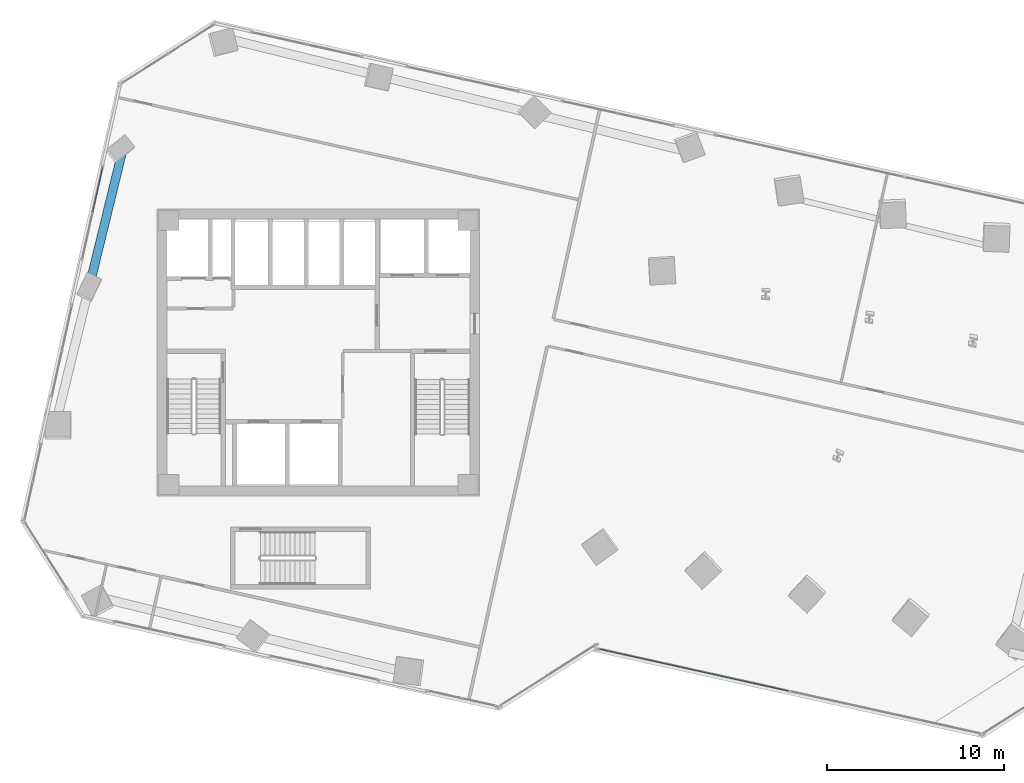
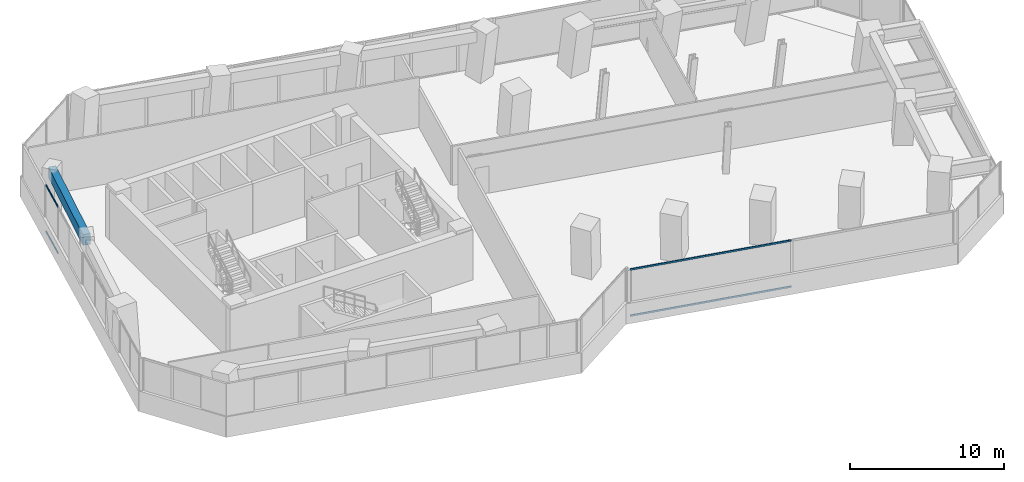
# One storey, part 7 of 25: 4 members, 1 beam, 2 elements without a shape of their own.
"""IFC4 building model written with IfcOpenShell, lengths in metres."""

from ifc_helpers import new_model, si_unit, direction, frame, origin, origin_2d, place, context, subcontext, project, spatial, rectangle, hollow_rectangle, extrude, source, transform, mapped, material, material_profile, profile_set, type_object, element, aggregate, save


model = new_model("IFC4")

# Units and contexts
model_context = context("Model", 3, precision=1e-05, world=origin(), true_north=direction((0.0, 1.0)))
body_context = subcontext(model_context, "Body", "Model", "MODEL_VIEW")
ifc_project = project(units=[si_unit("LENGTHUNIT", "METRE"), si_unit("AREAUNIT", "SQUARE_METRE"), si_unit("VOLUMEUNIT", "CUBIC_METRE"), si_unit("PLANEANGLEUNIT", "RADIAN"), si_unit("MASSUNIT", "GRAM", prefix="KILO")], contexts=[model_context])

# Site, building, storey
site_placement = place(None, origin())
site = spatial("IfcSite", under=ifc_project, at=site_placement, CompositionType="ELEMENT")
building_placement = place(site_placement, origin())
building = spatial("IfcBuilding", under=site, at=building_placement, Name="Torre Montelarca", CompositionType="ELEMENT")
storey_placement = place(building_placement, frame((0.0, 0.0, 91.60009765625)))
storey = spatial("IfcBuildingStorey", under=building, at=storey_placement, Name="L20", CompositionType="ELEMENT", Elevation=91.60009765625)

# Beam
ifc_material_1 = material(Name="Concrete C55/67", Category="concrete")
ifc_material_profile_1 = material_profile(ifc_material_1, rectangle(XDim=0.5, YDim=0.85009765625, at=origin_2d()), Name="RCB500X850", Category="concrete")
ifc_profile_set_1 = profile_set([ifc_material_profile_1], Name="Concrete C55/67")
beam_type = type_object("IfcBeamType", Name="BM-SP-RC850-EXT", PredefinedType="SPANDREL", material=ifc_profile_set_1)
shared_shape_1 = source(origin(), body_context, "Body", "SweptSolid", [
    extrude(rectangle(XDim=0.5, YDim=0.85009765625, at=origin_2d()), origin(), (0.0, 0.0, 1.0), 8.0),
])
beam_placement = place(storey_placement, frame((5.1328125, 36.0048828125, 3.534912109375), z_axis=(0.237700094629, 0.971338594422, 0.0), x_axis=(-0.971338594422, 0.237700094629, 0.0)))
element("IfcBeam", 1, at=beam_placement, inside=storey, type_object=beam_type, Name="L20 Grid Girder Y 32.0-40.0 at X=4.7", PredefinedType="SPANDREL", context=body_context, shape_type="MappedRepresentation", body=[
    mapped(shared_shape_1, transform((0.0, 0.0, 0.0), scale=1.0)),
])

# Curtain wall, members
ifc_material_2 = material(Name="Insulated low-E laminated glass", Category="glass")
curtain_wall_type = type_object("IfcCurtainWallType", Name="CW-SYS-Z1", PredefinedType="USERDEFINED", material=ifc_material_2)
curtain_wall_1_placement = place(storey_placement, origin())
curtain_wall_1 = element("IfcCurtainWall", 2, at=curtain_wall_1_placement, inside=storey, type_object=curtain_wall_type, Name="L20 Curtain Wall Run CW-T3-L20-E04-B1", ObjectType="UNITISED GLAZING", PredefinedType="USERDEFINED")
ifc_material_3 = material(Name="Anodised aluminium AA 6063-T6", Category="aluminium")
ifc_material_profile_2 = material_profile(ifc_material_3, hollow_rectangle(XDim=0.06494140625, YDim=0.139892578125, WallThickness=0.00390625, InnerFilletRadius=0.00390625, OuterFilletRadius=0.008056640625, at=origin_2d()), Name="ALU65X140X4", Category="aluminium")
ifc_profile_set_2 = profile_set([ifc_material_profile_2], Name="Anodised aluminium AA 6063-T6")
member_type = type_object("IfcMemberType", Name="CWT-ALU140", PredefinedType="USERDEFINED", material=ifc_profile_set_2)
shared_shape_2 = source(origin(), body_context, "Body", "SweptSolid", [
    extrude(hollow_rectangle(XDim=0.06494140625, YDim=0.139892578125, WallThickness=0.00390625, InnerFilletRadius=0.00390625, OuterFilletRadius=0.008056640625, at=origin_2d()), origin(), (0.0, 0.0, 1.0), 10.948486328125),
])
member_1_placement = place(storey_placement, frame((33.8759765625, 15.25439453125, 0.032470703125), z_axis=(0.976297117817, -0.216434603845, 0.0), x_axis=(0.216434603845, 0.976297117817, 0.0)))
member_1 = element("IfcMember", 3, at=member_1_placement, type_object=member_type, Name="CW transom 1.1", ObjectType="TRANSOM", PredefinedType="USERDEFINED", context=body_context, shape_type="MappedRepresentation", body=[
    mapped(shared_shape_2, transform((0.0, 0.0, 0.0), scale=1.0)),
])
member_2_placement = place(storey_placement, frame((33.8759765625, 15.25439453125, 3.6875), z_axis=(0.976297117817, -0.216434603845, 0.0), x_axis=(0.216434603845, 0.976297117817, 0.0)))
member_2 = element("IfcMember", 4, at=member_2_placement, type_object=member_type, Name="CW transom 1.2", ObjectType="TRANSOM", PredefinedType="USERDEFINED", context=body_context, shape_type="MappedRepresentation", body=[
    mapped(shared_shape_2, transform((0.0, 0.0, 0.0), scale=1.0)),
])
aggregate(curtain_wall_1, [member_1, member_2])

curtain_wall_2_placement = place(storey_placement, origin())
curtain_wall_2 = element("IfcCurtainWall", 5, at=curtain_wall_2_placement, inside=storey, type_object=curtain_wall_type, Name="L20 Curtain Wall Run CW-T3-L20-E10-B1", ObjectType="UNITISED GLAZING", PredefinedType="USERDEFINED")
shared_shape_3 = source(origin(), body_context, "Body", "SweptSolid", [
    extrude(hollow_rectangle(XDim=0.06494140625, YDim=0.139892578125, WallThickness=0.00390625, InnerFilletRadius=0.00390625, OuterFilletRadius=0.008056640625, at=origin_2d()), origin(), (0.0, 0.0, 1.0), 2.588623046875),
])
member_3_placement = place(storey_placement, frame((5.8193359375, 42.446533203125, 0.032470703125), z_axis=(-0.216441128823, -0.976295671277, 0.0), x_axis=(0.976295671277, -0.216441128823, 0.0)))
member_3 = element("IfcMember", 6, at=member_3_placement, type_object=member_type, Name="CW transom 1.1", ObjectType="TRANSOM", PredefinedType="USERDEFINED", context=body_context, shape_type="MappedRepresentation", body=[
    mapped(shared_shape_3, transform((0.0, 0.0, 0.0), scale=1.0)),
])
member_4_placement = place(storey_placement, frame((5.8193359375, 42.446533203125, 3.6875), z_axis=(-0.216441128823, -0.976295671277, 0.0), x_axis=(0.976295671277, -0.216441128823, 0.0)))
member_4 = element("IfcMember", 7, at=member_4_placement, type_object=member_type, Name="CW transom 1.2", ObjectType="TRANSOM", PredefinedType="USERDEFINED", context=body_context, shape_type="MappedRepresentation", body=[
    mapped(shared_shape_3, transform((0.0, 0.0, 0.0), scale=1.0)),
])
aggregate(curtain_wall_2, [member_3, member_4])

save(model, "model.ifc")
